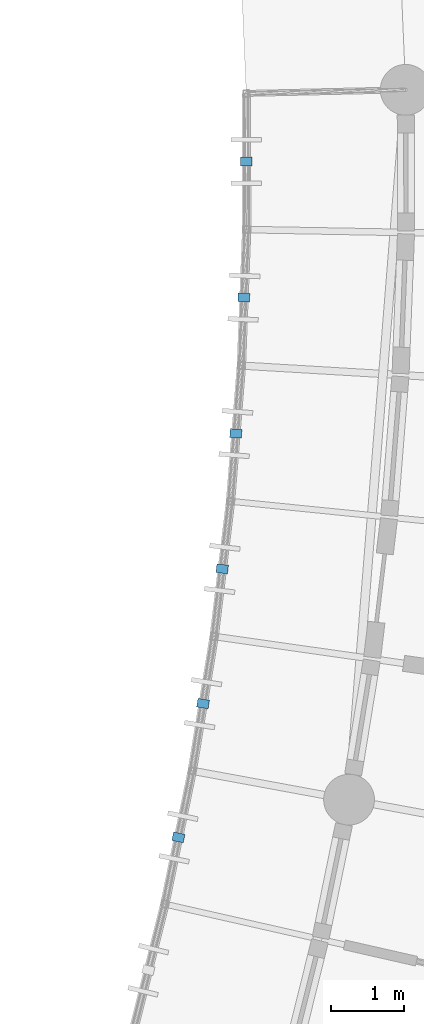
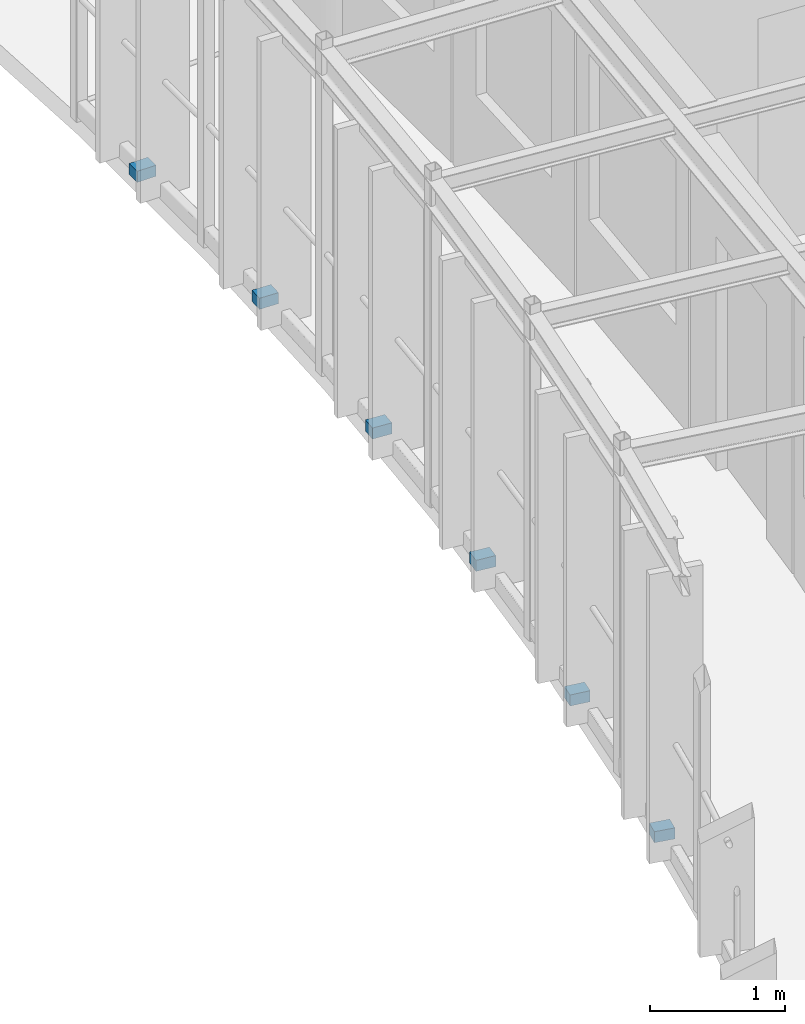
# One storey, part 106 of 123: 6 discrete accessories.
"""IFC4 building model written with IfcOpenShell, lengths in metres."""

import ifcopenshell
import ifcopenshell.guid

model = None  # the IFC model being written
_history = None  # IfcOwnerHistory: only IFC2X3 demands one
_inside = {}  # id of a spatial element -> (the spatial element, [elements in it])
_under = {}  # id of a project, library or spatial element -> (it, [spatial elements below it])
_declared = {}  # id of a project -> (the project, [libraries it declares])
_typed = {}  # id of a type object -> (the type object, [elements of that type])
_made_of = {}  # id of a material, layer set ... -> (it, [elements and type objects made of it])


def new_model(schema):
    """Start an empty IFC model of exactly this schema.

    Asked for "IFC4X3", IfcOpenShell would pick the latest addendum, in which some entities
    have other attributes; the version numbers below select the first issue.
    IFC2X3 requires an IfcOwnerHistory on every rooted entity: one is made here for all.
    """
    global model, _history
    if schema == "IFC4X3":
        model = ifcopenshell.file(schema_version=(4, 3, 0, 0))
    else:
        model = ifcopenshell.file(schema=schema)
    _inside.clear()
    _under.clear()
    _declared.clear()
    _typed.clear()
    _made_of.clear()
    _history = None
    if model.schema == "IFC2X3":
        org = make("IfcOrganization", Name="unknown")
        user = make(
            "IfcPersonAndOrganization",
            ThePerson=make("IfcPerson", FamilyName="unknown"),
            TheOrganization=org,
        )
        app = make(
            "IfcApplication",
            ApplicationDeveloper=org,
            Version="unknown",
            ApplicationFullName="unknown",
            ApplicationIdentifier="unknown",
        )
        _history = make(
            "IfcOwnerHistory",
            OwningUser=user,
            OwningApplication=app,
            ChangeAction="ADDED",
            CreationDate=0,
        )
    return model


def make(cls, **values):
    """One entity of the class cls with the attributes given. An attribute that is None is left unset."""
    return model.create_entity(
        cls, **{name: value for name, value in values.items() if value is not None}
    )


def rooted(cls, **values):
    """An entity with a GlobalId (a new one), such as an element, a storey or a relation."""
    return make(cls, GlobalId=ifcopenshell.guid.new(), OwnerHistory=_history, **values)


def si_unit(unit_type, name, prefix=None):
    """IfcSIUnit, for example si_unit("LENGTHUNIT", "METRE", prefix="MILLI")."""
    return make("IfcSIUnit", UnitType=unit_type, Prefix=prefix, Name=name)


def assignment(units):
    """IfcUnitAssignment: the units of a project."""
    return None if units is None else make("IfcUnitAssignment", Units=units)


def point(xyz):
    """IfcCartesianPoint."""
    return None if xyz is None else make("IfcCartesianPoint", Coordinates=xyz)


def direction(xyz):
    """IfcDirection."""
    return None if xyz is None else make("IfcDirection", DirectionRatios=xyz)


def frame(location, z_axis=None, x_axis=None):
    """IfcAxis2Placement3D, a coordinate frame: its origin and axes. An axis left out is left unset."""
    return make(
        "IfcAxis2Placement3D",
        Location=point(location),
        Axis=direction(z_axis),
        RefDirection=direction(x_axis),
    )


def frame_2d(location, x_axis=None):
    """IfcAxis2Placement2D, a coordinate frame in the plane: its origin and x axis."""
    return make(
        "IfcAxis2Placement2D", Location=point(location), RefDirection=direction(x_axis)
    )


def origin():
    """The frame at (0, 0, 0) with its axes left unset."""
    return frame((0.0, 0.0, 0.0))


def origin_2d():
    """The frame at (0, 0) in the plane with its x axis left unset."""
    return frame_2d((0.0, 0.0))


def place(relative_to, where):
    """IfcLocalPlacement: puts the frame where relative to a parent placement (None: the world)."""
    return make(
        "IfcLocalPlacement", PlacementRelTo=relative_to, RelativePlacement=where
    )


def context(
    kind, dimensions, precision=None, world=None, true_north=None, identifier=None
):
    """IfcGeometricRepresentationContext, for example the 3D "Model" context."""
    return make(
        "IfcGeometricRepresentationContext",
        ContextIdentifier=identifier,
        ContextType=kind,
        CoordinateSpaceDimension=dimensions,
        Precision=precision,
        WorldCoordinateSystem=world,
        TrueNorth=true_north,
    )


def subcontext(parent, identifier, kind, view, scale=None):
    """IfcGeometricRepresentationSubContext, for example "Body" below "Model"."""
    return make(
        "IfcGeometricRepresentationSubContext",
        ContextIdentifier=identifier,
        ContextType=kind,
        ParentContext=parent,
        TargetScale=scale,
        TargetView=view,
    )


def project(units=None, contexts=None):
    """IfcProject with its units and contexts."""
    return rooted(
        "IfcProject",
        Name="project",
        RepresentationContexts=contexts,
        UnitsInContext=assignment(units),
    )


def spatial(cls, under=None, at=None, **own):
    """A site, building, storey or space (cls), placed at a placement, below another one or the project."""
    s = rooted(cls, ObjectPlacement=at, **own)
    if under is not None:
        _under.setdefault(under.id(), (under, []))[1].append(s)
    return s


def profile(cls, at=None, kind="AREA", **sizes):
    """A parametric profile (cls). Its sizes go by their IFC names, for example OverallWidth=200.0."""
    return make(cls, ProfileType=kind, Position=at, **sizes)


def rectangle(**sizes):
    """IfcRectangleProfileDef."""
    return profile("IfcRectangleProfileDef", **sizes)


def extrude(swept, where, along, depth):
    """IfcExtrudedAreaSolid: the profile swept, set in the frame where, extruded along a direction by depth."""
    return make(
        "IfcExtrudedAreaSolid",
        SweptArea=swept,
        Position=where,
        ExtrudedDirection=direction(along),
        Depth=depth,
    )


def shape(context_of_items, identifier, shape_type, items):
    """IfcShapeRepresentation: the items that make up one representation, for example the "Body"."""
    return make(
        "IfcShapeRepresentation",
        ContextOfItems=context_of_items,
        RepresentationIdentifier=identifier,
        RepresentationType=shape_type,
        Items=items,
    )


def material(Name=None, Category=None):
    """IfcMaterial."""
    return make("IfcMaterial", Name=Name, Category=Category)


def made_of(thing, what):
    """Note that an element or type object is made of a material, layer set ...; save() writes the relation."""
    if what is not None:
        _made_of.setdefault(what.id(), (what, []))[1].append(thing)
    return thing


def type_object(cls, material=None, **own):
    """A type object (cls), such as IfcWallType, which elements share."""
    return made_of(rooted(cls, **own), material)


def element(
    cls,
    number,
    at=None,
    inside=None,
    cuts=None,
    type_object=None,
    material=None,
    context=None,
    identifier="Body",
    shape_type=None,
    held_by="IfcProductDefinitionShape",
    body=None,
    shapes=None,
    **own,
):
    """One element of the class cls, such as IfcWall. Its Tag is "e" and its number.

    at: its placement. inside: the storey or other place that contains it. cuts: it is an
    opening in that element (IfcRelVoidsElement). A single representation is given by context,
    identifier, shape_type and body (its items); several are given by shapes. held_by: the class
    of the entity that holds the representations. save() writes the other relations.
    """
    e = rooted(cls, Tag="e%d" % number, ObjectPlacement=at, **own)
    if body is not None:
        shapes = [shape(context, identifier, shape_type, body)]
    if shapes is not None:
        e.Representation = make(held_by, Representations=shapes)
    if inside is not None:
        _inside.setdefault(inside.id(), (inside, []))[1].append(e)
    if cuts is not None:
        rooted(
            "IfcRelVoidsElement", RelatingBuildingElement=cuts, RelatedOpeningElement=e
        )
    if type_object is not None:
        _typed.setdefault(type_object.id(), (type_object, []))[1].append(e)
    return made_of(e, material)


def aggregate(whole, parts):
    """IfcRelAggregates: a whole, such as a stair, and the parts it consists of."""
    return rooted("IfcRelAggregates", RelatingObject=whole, RelatedObjects=parts)


def save(model, path):
    """Write the relations noted so far, then the file.

    IfcRelAggregates (storeys below a building ...), IfcRelContainedInSpatialStructure (elements
    in a storey), IfcRelDefinesByType, IfcRelAssociatesMaterial and IfcRelDeclares: one each for
    every whole, place, type object, material and project.
    """
    for whole, parts in _under.values():
        aggregate(whole, parts)
    for where, things in _inside.values():
        rooted(
            "IfcRelContainedInSpatialStructure",
            RelatedElements=things,
            RelatingStructure=where,
        )
    for kind, things in _typed.values():
        rooted("IfcRelDefinesByType", RelatedObjects=things, RelatingType=kind)
    for what, things in _made_of.values():
        rooted("IfcRelAssociatesMaterial", RelatedObjects=things, RelatingMaterial=what)
    for by, libraries in _declared.values():
        rooted("IfcRelDeclares", RelatingContext=by, RelatedDefinitions=libraries)
    model.write(path)


model = new_model("IFC4")

# Units and contexts
model_context = context("Model", 3, precision=1e-05, world=origin(), true_north=direction((0.0, 1.0)))
body_context = subcontext(model_context, "Body", "Model", "MODEL_VIEW")
ifc_project = project(units=[si_unit("LENGTHUNIT", "METRE"), si_unit("AREAUNIT", "SQUARE_METRE"), si_unit("VOLUMEUNIT", "CUBIC_METRE"), si_unit("PLANEANGLEUNIT", "RADIAN"), si_unit("MASSUNIT", "GRAM", prefix="KILO"), si_unit("POWERUNIT", "WATT"), si_unit("THERMODYNAMICTEMPERATUREUNIT", "KELVIN")], contexts=[model_context])

# Site, building, storey
site_placement = place(None, origin())
site = spatial("IfcSite", under=ifc_project, at=site_placement, CompositionType="ELEMENT")
building_placement = place(site_placement, origin())
building = spatial("IfcBuilding", under=site, at=building_placement, Name="Ruvembo Vaulted Housing Court", CompositionType="ELEMENT")
storey_placement = place(building_placement, frame((0.0, 0.0, 7.699951171875)))
storey = spatial("IfcBuildingStorey", under=building, at=storey_placement, Name="L02", CompositionType="ELEMENT", Elevation=7.699951171875)

# Discrete accessories
ifc_material = material(Name="Stainless Steel Grade 316", Category="steel")
discrete_accessory_type = type_object("IfcDiscreteAccessoryType", Name="ACC-BRACKET-SS", PredefinedType="BRACKET", material=ifc_material)
for number, where, z_axis, x_axis, name in (
    (1, (46.853759765625, 64.78564453125, 0.030029296875), (0.0, 0.0, 1.0), (0.979547164277, -0.201214693692, 0.0), "Stainless Louvre Rail Bracket #33"),
    (2, (47.193603515625, 66.630859375, 0.030029296875), (0.0, 0.0, 1.0), (0.986957060278, -0.160983729511, 0.0), "Stainless Louvre Rail Bracket #34"),
    (3, (47.45751953125, 68.488525390625, 0.030029296875), (0.0, 0.0, 1.0), (0.992734259016, -0.120327432347, 0.0), "Stainless Louvre Rail Bracket #35"),
    (4, (47.64501953125, 70.35546875, 0.030029296875), (0.0, 0.0, 1.0), (0.996826293951, -0.079607409749, 0.0), "Stainless Louvre Rail Bracket #36"),
    (5, (47.756103515625, 72.228271484375, 0.030029296875), (0.0, 0.0, 1.0), (0.999251482534, -0.038684294669, 0.0), "Stainless Louvre Rail Bracket #37"),
    (6, (47.790283203125, 74.104248046875, 0.030029296875), (0.0, 0.0, 1.0), (0.999997386231, 0.002286379328, 0.0), "Stainless Louvre Rail Bracket #38"),
):
    element("IfcDiscreteAccessory", number, at=place(storey_placement, frame(where, z_axis=z_axis, x_axis=x_axis)), inside=storey, type_object=discrete_accessory_type, Name=name, PredefinedType="BRACKET", context=body_context, shape_type="SweptSolid", body=[
        extrude(rectangle(XDim=0.159912109375, YDim=0.1201171875, at=origin_2d()), origin(), (0.0, 0.0, 1.0), 0.10009765625),
    ])

save(model, "model.ifc")
